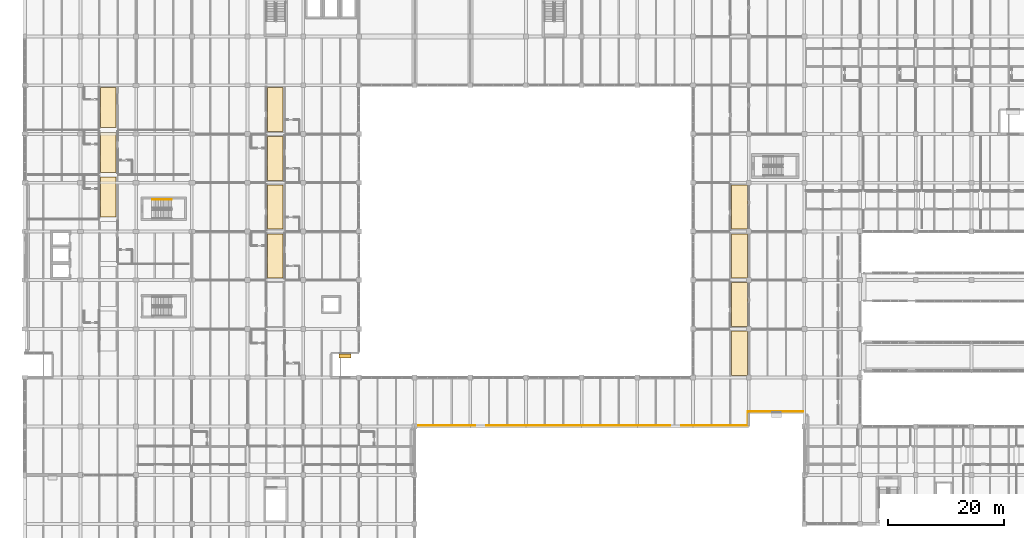
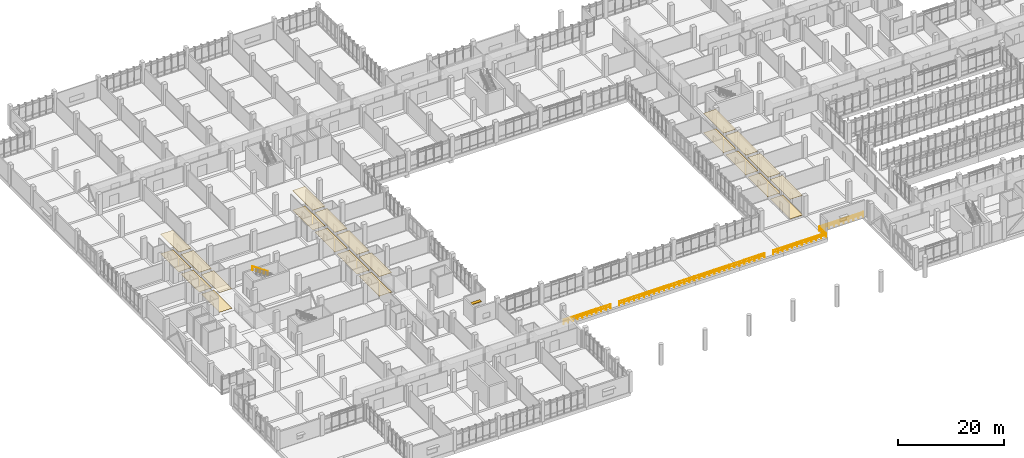
# One storey, part 138 of 152: 22 coverings, 4 railings, 1 shading device.
"""IFC4 building model written with IfcOpenShell, lengths in metres."""

import ifcopenshell
import ifcopenshell.guid

model = None  # the IFC model being written
_history = None  # IfcOwnerHistory: only IFC2X3 demands one
_inside = {}  # id of a spatial element -> (the spatial element, [elements in it])
_under = {}  # id of a project, library or spatial element -> (it, [spatial elements below it])
_declared = {}  # id of a project -> (the project, [libraries it declares])
_typed = {}  # id of a type object -> (the type object, [elements of that type])
_made_of = {}  # id of a material, layer set ... -> (it, [elements and type objects made of it])


def new_model(schema):
    """Start an empty IFC model of exactly this schema.

    Asked for "IFC4X3", IfcOpenShell would pick the latest addendum, in which some entities
    have other attributes; the version numbers below select the first issue.
    IFC2X3 requires an IfcOwnerHistory on every rooted entity: one is made here for all.
    """
    global model, _history
    if schema == "IFC4X3":
        model = ifcopenshell.file(schema_version=(4, 3, 0, 0))
    else:
        model = ifcopenshell.file(schema=schema)
    _inside.clear()
    _under.clear()
    _declared.clear()
    _typed.clear()
    _made_of.clear()
    _history = None
    if model.schema == "IFC2X3":
        org = make("IfcOrganization", Name="unknown")
        user = make(
            "IfcPersonAndOrganization",
            ThePerson=make("IfcPerson", FamilyName="unknown"),
            TheOrganization=org,
        )
        app = make(
            "IfcApplication",
            ApplicationDeveloper=org,
            Version="unknown",
            ApplicationFullName="unknown",
            ApplicationIdentifier="unknown",
        )
        _history = make(
            "IfcOwnerHistory",
            OwningUser=user,
            OwningApplication=app,
            ChangeAction="ADDED",
            CreationDate=0,
        )
    return model


def make(cls, **values):
    """One entity of the class cls with the attributes given. An attribute that is None is left unset."""
    return model.create_entity(
        cls, **{name: value for name, value in values.items() if value is not None}
    )


def rooted(cls, **values):
    """An entity with a GlobalId (a new one), such as an element, a storey or a relation."""
    return make(cls, GlobalId=ifcopenshell.guid.new(), OwnerHistory=_history, **values)


def si_unit(unit_type, name, prefix=None):
    """IfcSIUnit, for example si_unit("LENGTHUNIT", "METRE", prefix="MILLI")."""
    return make("IfcSIUnit", UnitType=unit_type, Prefix=prefix, Name=name)


def assignment(units):
    """IfcUnitAssignment: the units of a project."""
    return None if units is None else make("IfcUnitAssignment", Units=units)


def point(xyz):
    """IfcCartesianPoint."""
    return None if xyz is None else make("IfcCartesianPoint", Coordinates=xyz)


def direction(xyz):
    """IfcDirection."""
    return None if xyz is None else make("IfcDirection", DirectionRatios=xyz)


def frame(location, z_axis=None, x_axis=None):
    """IfcAxis2Placement3D, a coordinate frame: its origin and axes. An axis left out is left unset."""
    return make(
        "IfcAxis2Placement3D",
        Location=point(location),
        Axis=direction(z_axis),
        RefDirection=direction(x_axis),
    )


def frame_2d(location, x_axis=None):
    """IfcAxis2Placement2D, a coordinate frame in the plane: its origin and x axis."""
    return make(
        "IfcAxis2Placement2D", Location=point(location), RefDirection=direction(x_axis)
    )


def origin():
    """The frame at (0, 0, 0) with its axes left unset."""
    return frame((0.0, 0.0, 0.0))


def origin_2d():
    """The frame at (0, 0) in the plane with its x axis left unset."""
    return frame_2d((0.0, 0.0))


def place(relative_to, where):
    """IfcLocalPlacement: puts the frame where relative to a parent placement (None: the world)."""
    return make(
        "IfcLocalPlacement", PlacementRelTo=relative_to, RelativePlacement=where
    )


def context(
    kind, dimensions, precision=None, world=None, true_north=None, identifier=None
):
    """IfcGeometricRepresentationContext, for example the 3D "Model" context."""
    return make(
        "IfcGeometricRepresentationContext",
        ContextIdentifier=identifier,
        ContextType=kind,
        CoordinateSpaceDimension=dimensions,
        Precision=precision,
        WorldCoordinateSystem=world,
        TrueNorth=true_north,
    )


def subcontext(parent, identifier, kind, view, scale=None):
    """IfcGeometricRepresentationSubContext, for example "Body" below "Model"."""
    return make(
        "IfcGeometricRepresentationSubContext",
        ContextIdentifier=identifier,
        ContextType=kind,
        ParentContext=parent,
        TargetScale=scale,
        TargetView=view,
    )


def project(units=None, contexts=None):
    """IfcProject with its units and contexts."""
    return rooted(
        "IfcProject",
        Name="project",
        RepresentationContexts=contexts,
        UnitsInContext=assignment(units),
    )


def spatial(cls, under=None, at=None, **own):
    """A site, building, storey or space (cls), placed at a placement, below another one or the project."""
    s = rooted(cls, ObjectPlacement=at, **own)
    if under is not None:
        _under.setdefault(under.id(), (under, []))[1].append(s)
    return s


def polyline(points):
    """IfcPolyline through the points."""
    return make("IfcPolyline", Points=[point(p) for p in points])


def profile(cls, at=None, kind="AREA", **sizes):
    """A parametric profile (cls). Its sizes go by their IFC names, for example OverallWidth=200.0."""
    return make(cls, ProfileType=kind, Position=at, **sizes)


def rectangle(**sizes):
    """IfcRectangleProfileDef."""
    return profile("IfcRectangleProfileDef", **sizes)


def circle(**sizes):
    """IfcCircleProfileDef."""
    return profile("IfcCircleProfileDef", **sizes)


def outline(outer, holes=None, kind="AREA"):
    """IfcArbitraryClosedProfileDef: a profile drawn as a closed curve; with holes, ...WithVoids."""
    if holes is None:
        return make("IfcArbitraryClosedProfileDef", ProfileType=kind, OuterCurve=outer)
    return make(
        "IfcArbitraryProfileDefWithVoids",
        ProfileType=kind,
        OuterCurve=outer,
        InnerCurves=holes,
    )


def extrude(swept, where, along, depth):
    """IfcExtrudedAreaSolid: the profile swept, set in the frame where, extruded along a direction by depth."""
    return make(
        "IfcExtrudedAreaSolid",
        SweptArea=swept,
        Position=where,
        ExtrudedDirection=direction(along),
        Depth=depth,
    )


def shape(context_of_items, identifier, shape_type, items):
    """IfcShapeRepresentation: the items that make up one representation, for example the "Body"."""
    return make(
        "IfcShapeRepresentation",
        ContextOfItems=context_of_items,
        RepresentationIdentifier=identifier,
        RepresentationType=shape_type,
        Items=items,
    )


def material(Name=None, Category=None):
    """IfcMaterial."""
    return make("IfcMaterial", Name=Name, Category=Category)


def layer(
    of_material, thickness, ventilated=None, Name=None, Category=None, Priority=None
):
    """IfcMaterialLayer: one layer of a wall or slab, of a material (None: an air gap)."""
    return make(
        "IfcMaterialLayer",
        Material=of_material,
        LayerThickness=thickness,
        IsVentilated=ventilated,
        Name=Name,
        Category=Category,
        Priority=Priority,
    )


def layer_set(layers, Name=None):
    """IfcMaterialLayerSet."""
    return make("IfcMaterialLayerSet", MaterialLayers=layers, LayerSetName=Name)


def made_of(thing, what):
    """Note that an element or type object is made of a material, layer set ...; save() writes the relation."""
    if what is not None:
        _made_of.setdefault(what.id(), (what, []))[1].append(thing)
    return thing


def type_object(cls, material=None, **own):
    """A type object (cls), such as IfcWallType, which elements share."""
    return made_of(rooted(cls, **own), material)


def element(
    cls,
    number,
    at=None,
    inside=None,
    cuts=None,
    type_object=None,
    material=None,
    context=None,
    identifier="Body",
    shape_type=None,
    held_by="IfcProductDefinitionShape",
    body=None,
    shapes=None,
    **own,
):
    """One element of the class cls, such as IfcWall. Its Tag is "e" and its number.

    at: its placement. inside: the storey or other place that contains it. cuts: it is an
    opening in that element (IfcRelVoidsElement). A single representation is given by context,
    identifier, shape_type and body (its items); several are given by shapes. held_by: the class
    of the entity that holds the representations. save() writes the other relations.
    """
    e = rooted(cls, Tag="e%d" % number, ObjectPlacement=at, **own)
    if body is not None:
        shapes = [shape(context, identifier, shape_type, body)]
    if shapes is not None:
        e.Representation = make(held_by, Representations=shapes)
    if inside is not None:
        _inside.setdefault(inside.id(), (inside, []))[1].append(e)
    if cuts is not None:
        rooted(
            "IfcRelVoidsElement", RelatingBuildingElement=cuts, RelatedOpeningElement=e
        )
    if type_object is not None:
        _typed.setdefault(type_object.id(), (type_object, []))[1].append(e)
    return made_of(e, material)


def aggregate(whole, parts):
    """IfcRelAggregates: a whole, such as a stair, and the parts it consists of."""
    return rooted("IfcRelAggregates", RelatingObject=whole, RelatedObjects=parts)


def save(model, path):
    """Write the relations noted so far, then the file.

    IfcRelAggregates (storeys below a building ...), IfcRelContainedInSpatialStructure (elements
    in a storey), IfcRelDefinesByType, IfcRelAssociatesMaterial and IfcRelDeclares: one each for
    every whole, place, type object, material and project.
    """
    for whole, parts in _under.values():
        aggregate(whole, parts)
    for where, things in _inside.values():
        rooted(
            "IfcRelContainedInSpatialStructure",
            RelatedElements=things,
            RelatingStructure=where,
        )
    for kind, things in _typed.values():
        rooted("IfcRelDefinesByType", RelatedObjects=things, RelatingType=kind)
    for what, things in _made_of.values():
        rooted("IfcRelAssociatesMaterial", RelatedObjects=things, RelatingMaterial=what)
    for by, libraries in _declared.values():
        rooted("IfcRelDeclares", RelatingContext=by, RelatedDefinitions=libraries)
    model.write(path)


model = new_model("IFC4")

# Units and contexts
model_context = context("Model", 3, precision=1e-05, world=origin(), true_north=direction((0.0, 1.0)))
body_context = subcontext(model_context, "Body", "Model", "MODEL_VIEW")
ifc_project = project(units=[si_unit("LENGTHUNIT", "METRE"), si_unit("AREAUNIT", "SQUARE_METRE"), si_unit("VOLUMEUNIT", "CUBIC_METRE"), si_unit("PLANEANGLEUNIT", "RADIAN"), si_unit("MASSUNIT", "GRAM", prefix="KILO")], contexts=[model_context])

# Site, building, storey
site_placement = place(None, origin())
site = spatial("IfcSite", under=ifc_project, at=site_placement, CompositionType="ELEMENT")
building_placement = place(site_placement, origin())
building = spatial("IfcBuilding", under=site, at=building_placement, Name="Oolite Switchyard Hospital", CompositionType="ELEMENT")
storey_placement = place(building_placement, frame((0.0, 0.0, 5.10009765625)))
storey = spatial("IfcBuildingStorey", under=building, at=storey_placement, Name="L01", CompositionType="ELEMENT", Elevation=5.10009765625)

# Coverings
ifc_material_1 = material(Name="Hygienic washable mineral-fibre acoustic ceiling")
ifc_layer_1 = layer(ifc_material_1, 0.0400390625)
ifc_layer_set_1 = layer_set([ifc_layer_1], Name="COV-CEIL-AC60")
covering_type_1 = type_object("IfcCoveringType", Name="COV-CEIL-AC60", PredefinedType="CEILING", material=ifc_layer_set_1)
covering_1_placement = place(storey_placement, frame((0.0, 0.0, 4.5)))
element("IfcCovering", 1, at=covering_1_placement, inside=storey, type_object=covering_type_1, Name="L01 West Surgical ICU Corridor Ceiling 4", PredefinedType="CEILING", context=body_context, shape_type="SweptSolid", body=[
    extrude(outline(polyline([(13.050048828125, 61.300048828125), (15.75, 61.300048828125), (15.75, 68.199951171875), (13.050048828125, 68.199951171875), (13.050048828125, 61.300048828125)])), origin(), (0.0, 0.0, 1.0), 0.039794921875),
])
covering_2_placement = place(storey_placement, frame((0.0, 0.0, 4.5)))
element("IfcCovering", 2, at=covering_2_placement, inside=storey, type_object=covering_type_1, Name="L01 West Surgical ICU Corridor Ceiling 5", PredefinedType="CEILING", context=body_context, shape_type="SweptSolid", body=[
    extrude(outline(polyline([(13.050048828125, 69.0), (15.75, 69.0), (15.75, 75.89990234375), (13.050048828125, 75.89990234375), (13.050048828125, 69.0)])), origin(), (0.0, 0.0, 1.0), 0.039794921875),
])
covering_3_placement = place(storey_placement, frame((0.0, 0.0, 4.5)))
element("IfcCovering", 3, at=covering_3_placement, inside=storey, type_object=covering_type_1, Name="L01 West Surgical ICU Corridor Ceiling 6", PredefinedType="CEILING", context=body_context, shape_type="SweptSolid", body=[
    extrude(outline(polyline([(13.050048828125, 76.699951171875), (15.75, 76.699951171875), (15.75, 83.60009765625), (13.050048828125, 83.60009765625), (13.050048828125, 76.699951171875)])), origin(), (0.0, 0.0, 1.0), 0.039794921875),
])
covering_4_placement = place(storey_placement, frame((0.0, 0.0, 4.5)))
element("IfcCovering", 4, at=covering_4_placement, inside=storey, type_object=covering_type_1, Name="L01 Cloister Coronary ICU Corridor Ceiling 3", PredefinedType="CEILING", context=body_context, shape_type="SweptSolid", body=[
    extrude(outline(polyline([(41.85009765625, 50.800048828125), (44.550048828125, 50.800048828125), (44.550048828125, 58.39990234375), (41.85009765625, 58.39990234375), (41.85009765625, 50.800048828125)])), origin(), (0.0, 0.0, 1.0), 0.039794921875),
])
covering_5_placement = place(storey_placement, frame((0.0, 0.0, 4.5)))
element("IfcCovering", 5, at=covering_5_placement, inside=storey, type_object=covering_type_1, Name="L01 Cloister Coronary ICU Corridor Ceiling 4", PredefinedType="CEILING", context=body_context, shape_type="SweptSolid", body=[
    extrude(outline(polyline([(41.85009765625, 59.199951171875), (44.550048828125, 59.199951171875), (44.550048828125, 66.800048828125), (41.85009765625, 66.800048828125), (41.85009765625, 59.199951171875)])), origin(), (0.0, 0.0, 1.0), 0.039794921875),
])
covering_6_placement = place(storey_placement, frame((0.0, 0.0, 4.5)))
element("IfcCovering", 6, at=covering_6_placement, inside=storey, type_object=covering_type_1, Name="L01 Cloister Coronary ICU Corridor Ceiling 5", PredefinedType="CEILING", context=body_context, shape_type="SweptSolid", body=[
    extrude(outline(polyline([(41.85009765625, 67.60009765625), (44.550048828125, 67.60009765625), (44.550048828125, 75.199951171875), (41.85009765625, 75.199951171875), (41.85009765625, 67.60009765625)])), origin(), (0.0, 0.0, 1.0), 0.039794921875),
])
covering_7_placement = place(storey_placement, frame((0.0, 0.0, 4.5)))
element("IfcCovering", 7, at=covering_7_placement, inside=storey, type_object=covering_type_1, Name="L01 Cloister Coronary ICU Corridor Ceiling 6", PredefinedType="CEILING", context=body_context, shape_type="SweptSolid", body=[
    extrude(outline(polyline([(41.85009765625, 76.0), (44.550048828125, 76.0), (44.550048828125, 83.60009765625), (41.85009765625, 83.60009765625), (41.85009765625, 76.0)])), origin(), (0.0, 0.0, 1.0), 0.039794921875),
])
covering_8_placement = place(storey_placement, frame((0.0, 0.0, 4.5)))
element("IfcCovering", 8, at=covering_8_placement, inside=storey, type_object=covering_type_1, Name="L01 East Cloister Perioperative Corridor L01 Ceiling 1", PredefinedType="CEILING", context=body_context, shape_type="SweptSolid", body=[
    extrude(outline(polyline([(121.85009765625, 34.0), (124.550048828125, 34.0), (124.550048828125, 41.60009765625), (121.85009765625, 41.60009765625), (121.85009765625, 34.0)])), origin(), (0.0, 0.0, 1.0), 0.039794921875),
])
covering_9_placement = place(storey_placement, frame((0.0, 0.0, 4.5)))
element("IfcCovering", 9, at=covering_9_placement, inside=storey, type_object=covering_type_1, Name="L01 East Cloister Perioperative Corridor L01 Ceiling 2", PredefinedType="CEILING", context=body_context, shape_type="SweptSolid", body=[
    extrude(outline(polyline([(121.85009765625, 42.39990234375), (124.550048828125, 42.39990234375), (124.550048828125, 50.0), (121.85009765625, 50.0), (121.85009765625, 42.39990234375)])), origin(), (0.0, 0.0, 1.0), 0.039794921875),
])
covering_10_placement = place(storey_placement, frame((0.0, 0.0, 4.5)))
element("IfcCovering", 10, at=covering_10_placement, inside=storey, type_object=covering_type_1, Name="L01 East Cloister Perioperative Corridor L01 Ceiling 3", PredefinedType="CEILING", context=body_context, shape_type="SweptSolid", body=[
    extrude(outline(polyline([(121.85009765625, 50.800048828125), (124.550048828125, 50.800048828125), (124.550048828125, 58.39990234375), (121.85009765625, 58.39990234375), (121.85009765625, 50.800048828125)])), origin(), (0.0, 0.0, 1.0), 0.039794921875),
])
covering_11_placement = place(storey_placement, frame((0.0, 0.0, 4.5)))
element("IfcCovering", 11, at=covering_11_placement, inside=storey, type_object=covering_type_1, Name="L01 East Cloister Perioperative Corridor L01 Ceiling 4", PredefinedType="CEILING", context=body_context, shape_type="SweptSolid", body=[
    extrude(outline(polyline([(121.85009765625, 59.199951171875), (124.550048828125, 59.199951171875), (124.550048828125, 66.800048828125), (121.85009765625, 66.800048828125), (121.85009765625, 59.199951171875)])), origin(), (0.0, 0.0, 1.0), 0.039794921875),
])
ifc_material_2 = material(Name="Epoxy terrazzo seamless clinical flooring")
ifc_layer_2 = layer(ifc_material_2, 0.02001953125)
ifc_layer_set_2 = layer_set([ifc_layer_2], Name="COV-FLR-TER20")
covering_type_2 = type_object("IfcCoveringType", Name="COV-FLR-TER20", PredefinedType="FLOORING", material=ifc_layer_set_2)
covering_12_placement = place(storey_placement, origin())
element("IfcCovering", 12, at=covering_12_placement, inside=storey, type_object=covering_type_2, Name="L01 West Surgical ICU Corridor Flooring 4", PredefinedType="FLOORING", context=body_context, shape_type="SweptSolid", body=[
    extrude(outline(polyline([(13.050048828125, 61.300048828125), (15.75, 61.300048828125), (15.75, 68.199951171875), (13.050048828125, 68.199951171875), (13.050048828125, 61.300048828125)])), origin(), (0.0, 0.0, 1.0), 0.02001953125),
])
covering_13_placement = place(storey_placement, origin())
element("IfcCovering", 13, at=covering_13_placement, inside=storey, type_object=covering_type_2, Name="L01 West Surgical ICU Corridor Flooring 5", PredefinedType="FLOORING", context=body_context, shape_type="SweptSolid", body=[
    extrude(outline(polyline([(13.050048828125, 69.0), (15.75, 69.0), (15.75, 75.89990234375), (13.050048828125, 75.89990234375), (13.050048828125, 69.0)])), origin(), (0.0, 0.0, 1.0), 0.02001953125),
])
covering_14_placement = place(storey_placement, origin())
element("IfcCovering", 14, at=covering_14_placement, inside=storey, type_object=covering_type_2, Name="L01 West Surgical ICU Corridor Flooring 6", PredefinedType="FLOORING", context=body_context, shape_type="SweptSolid", body=[
    extrude(outline(polyline([(13.050048828125, 76.699951171875), (15.75, 76.699951171875), (15.75, 83.60009765625), (13.050048828125, 83.60009765625), (13.050048828125, 76.699951171875)])), origin(), (0.0, 0.0, 1.0), 0.02001953125),
])
covering_15_placement = place(storey_placement, origin())
element("IfcCovering", 15, at=covering_15_placement, inside=storey, type_object=covering_type_2, Name="L01 Cloister Coronary ICU Corridor Flooring 3", PredefinedType="FLOORING", context=body_context, shape_type="SweptSolid", body=[
    extrude(outline(polyline([(41.85009765625, 50.800048828125), (44.550048828125, 50.800048828125), (44.550048828125, 58.39990234375), (41.85009765625, 58.39990234375), (41.85009765625, 50.800048828125)])), origin(), (0.0, 0.0, 1.0), 0.02001953125),
])
covering_16_placement = place(storey_placement, origin())
element("IfcCovering", 16, at=covering_16_placement, inside=storey, type_object=covering_type_2, Name="L01 Cloister Coronary ICU Corridor Flooring 4", PredefinedType="FLOORING", context=body_context, shape_type="SweptSolid", body=[
    extrude(outline(polyline([(41.85009765625, 59.199951171875), (44.550048828125, 59.199951171875), (44.550048828125, 66.800048828125), (41.85009765625, 66.800048828125), (41.85009765625, 59.199951171875)])), origin(), (0.0, 0.0, 1.0), 0.02001953125),
])
covering_17_placement = place(storey_placement, origin())
element("IfcCovering", 17, at=covering_17_placement, inside=storey, type_object=covering_type_2, Name="L01 Cloister Coronary ICU Corridor Flooring 5", PredefinedType="FLOORING", context=body_context, shape_type="SweptSolid", body=[
    extrude(outline(polyline([(41.85009765625, 67.60009765625), (44.550048828125, 67.60009765625), (44.550048828125, 75.199951171875), (41.85009765625, 75.199951171875), (41.85009765625, 67.60009765625)])), origin(), (0.0, 0.0, 1.0), 0.02001953125),
])
covering_18_placement = place(storey_placement, origin())
element("IfcCovering", 18, at=covering_18_placement, inside=storey, type_object=covering_type_2, Name="L01 Cloister Coronary ICU Corridor Flooring 6", PredefinedType="FLOORING", context=body_context, shape_type="SweptSolid", body=[
    extrude(outline(polyline([(41.85009765625, 76.0), (44.550048828125, 76.0), (44.550048828125, 83.60009765625), (41.85009765625, 83.60009765625), (41.85009765625, 76.0)])), origin(), (0.0, 0.0, 1.0), 0.02001953125),
])
covering_19_placement = place(storey_placement, origin())
element("IfcCovering", 19, at=covering_19_placement, inside=storey, type_object=covering_type_2, Name="L01 East Cloister Perioperative Corridor L01 Flooring 1", PredefinedType="FLOORING", context=body_context, shape_type="SweptSolid", body=[
    extrude(outline(polyline([(121.85009765625, 34.0), (124.550048828125, 34.0), (124.550048828125, 41.60009765625), (121.85009765625, 41.60009765625), (121.85009765625, 34.0)])), origin(), (0.0, 0.0, 1.0), 0.02001953125),
])
covering_20_placement = place(storey_placement, origin())
element("IfcCovering", 20, at=covering_20_placement, inside=storey, type_object=covering_type_2, Name="L01 East Cloister Perioperative Corridor L01 Flooring 2", PredefinedType="FLOORING", context=body_context, shape_type="SweptSolid", body=[
    extrude(outline(polyline([(121.85009765625, 42.39990234375), (124.550048828125, 42.39990234375), (124.550048828125, 50.0), (121.85009765625, 50.0), (121.85009765625, 42.39990234375)])), origin(), (0.0, 0.0, 1.0), 0.02001953125),
])
covering_21_placement = place(storey_placement, origin())
element("IfcCovering", 21, at=covering_21_placement, inside=storey, type_object=covering_type_2, Name="L01 East Cloister Perioperative Corridor L01 Flooring 3", PredefinedType="FLOORING", context=body_context, shape_type="SweptSolid", body=[
    extrude(outline(polyline([(121.85009765625, 50.800048828125), (124.550048828125, 50.800048828125), (124.550048828125, 58.39990234375), (121.85009765625, 58.39990234375), (121.85009765625, 50.800048828125)])), origin(), (0.0, 0.0, 1.0), 0.02001953125),
])
covering_22_placement = place(storey_placement, origin())
element("IfcCovering", 22, at=covering_22_placement, inside=storey, type_object=covering_type_2, Name="L01 East Cloister Perioperative Corridor L01 Flooring 4", PredefinedType="FLOORING", context=body_context, shape_type="SweptSolid", body=[
    extrude(outline(polyline([(121.85009765625, 59.199951171875), (124.550048828125, 59.199951171875), (124.550048828125, 66.800048828125), (121.85009765625, 66.800048828125), (121.85009765625, 59.199951171875)])), origin(), (0.0, 0.0, 1.0), 0.02001953125),
])

# Railings
ifc_material_3 = material(Name="Precast oolitic limestone classical balustrade", Category="masonry")
railing_type_1 = type_object("IfcRailingType", Name="RL-BAL-110", PredefinedType="BALUSTRADE", material=ifc_material_3)
railing_1_placement = place(storey_placement, frame((67.39990234375, 25.35009765625, 0.0)))
element("IfcRailing", 23, at=railing_1_placement, inside=storey, type_object=railing_type_1, Name="L01 Terrace Perimeter Guard 1", PredefinedType="BALUSTRADE", context=body_context, shape_type="SweptSolid", body=[
    extrude(circle(Radius=0.02392578125, at=origin_2d()), frame((0.0, 0.0, 1.076171875), z_axis=(1.0, 0.0, 0.0), x_axis=(0.0, 1.0, 0.0)), (0.0, 0.0, 1.0), 10.25),
    extrude(circle(Radius=0.015625, at=origin_2d()), frame((0.0, 0.0, 0.550048828125), z_axis=(1.0, 0.0, 0.0), x_axis=(0.0, 1.0, 0.0)), (0.0, 0.0, 1.0), 10.25),
    extrude(circle(Radius=0.02099609375, at=origin_2d()), origin(), (0.0, 0.0, 1.0), 1.052001953125),
    extrude(circle(Radius=0.02099609375, at=origin_2d()), frame((1.02490234375, 0.0, 0.0)), (0.0, 0.0, 1.0), 1.052001953125),
    extrude(circle(Radius=0.02099609375, at=origin_2d()), frame((2.050048828125, 0.0, 0.0)), (0.0, 0.0, 1.0), 1.052001953125),
    extrude(circle(Radius=0.02099609375, at=origin_2d()), frame((3.074951171875, 0.0, 0.0)), (0.0, 0.0, 1.0), 1.052001953125),
    extrude(circle(Radius=0.02099609375, at=origin_2d()), frame((4.10009765625, 0.0, 0.0)), (0.0, 0.0, 1.0), 1.052001953125),
    extrude(circle(Radius=0.02099609375, at=origin_2d()), frame((5.125, 0.0, 0.0)), (0.0, 0.0, 1.0), 1.052001953125),
    extrude(circle(Radius=0.02099609375, at=origin_2d()), frame((6.14990234375, 0.0, 0.0)), (0.0, 0.0, 1.0), 1.052001953125),
    extrude(circle(Radius=0.02099609375, at=origin_2d()), frame((7.175048828125, 0.0, 0.0)), (0.0, 0.0, 1.0), 1.052001953125),
    extrude(circle(Radius=0.02099609375, at=origin_2d()), frame((8.199951171875, 0.0, 0.0)), (0.0, 0.0, 1.0), 1.052001953125),
    extrude(circle(Radius=0.02099609375, at=origin_2d()), frame((9.22509765625, 0.0, 0.0)), (0.0, 0.0, 1.0), 1.052001953125),
    extrude(circle(Radius=0.02099609375, at=origin_2d()), frame((10.25, 0.0, 0.0)), (0.0, 0.0, 1.0), 1.052001953125),
])
railing_2_placement = place(storey_placement, frame((79.550048828125, 25.35009765625, 0.0)))
element("IfcRailing", 24, at=railing_2_placement, inside=storey, type_object=railing_type_1, Name="L01 Terrace Perimeter Guard 2", PredefinedType="BALUSTRADE", context=body_context, shape_type="SweptSolid", body=[
    extrude(circle(Radius=0.02392578125, at=origin_2d()), frame((0.0, 0.0, 1.076171875), z_axis=(1.0, 0.0, 0.0), x_axis=(0.0, 1.0, 0.0)), (0.0, 0.0, 1.0), 31.699951171875),
    extrude(circle(Radius=0.015625, at=origin_2d()), frame((0.0, 0.0, 0.550048828125), z_axis=(1.0, 0.0, 0.0), x_axis=(0.0, 1.0, 0.0)), (0.0, 0.0, 1.0), 31.699951171875),
    extrude(circle(Radius=0.02099609375, at=origin_2d()), origin(), (0.0, 0.0, 1.0), 1.052001953125),
    extrude(circle(Radius=0.02099609375, at=origin_2d()), frame((1.093017578125, 0.0, 0.0)), (0.0, 0.0, 1.0), 1.052001953125),
    extrude(circle(Radius=0.02099609375, at=origin_2d()), frame((2.186279296875, 0.0, 0.0)), (0.0, 0.0, 1.0), 1.052001953125),
    extrude(circle(Radius=0.02099609375, at=origin_2d()), frame((3.279296875, 0.0, 0.0)), (0.0, 0.0, 1.0), 1.052001953125),
    extrude(circle(Radius=0.02099609375, at=origin_2d()), frame((4.372314453125, 0.0, 0.0)), (0.0, 0.0, 1.0), 1.052001953125),
    extrude(circle(Radius=0.02099609375, at=origin_2d()), frame((5.465576171875, 0.0, 0.0)), (0.0, 0.0, 1.0), 1.052001953125),
    extrude(circle(Radius=0.02099609375, at=origin_2d()), frame((6.55859375, 0.0, 0.0)), (0.0, 0.0, 1.0), 1.052001953125),
    extrude(circle(Radius=0.02099609375, at=origin_2d()), frame((7.651611328125, 0.0, 0.0)), (0.0, 0.0, 1.0), 1.052001953125),
    extrude(circle(Radius=0.02099609375, at=origin_2d()), frame((8.744873046875, 0.0, 0.0)), (0.0, 0.0, 1.0), 1.052001953125),
    extrude(circle(Radius=0.02099609375, at=origin_2d()), frame((9.837890625, 0.0, 0.0)), (0.0, 0.0, 1.0), 1.052001953125),
    extrude(circle(Radius=0.02099609375, at=origin_2d()), frame((10.930908203125, 0.0, 0.0)), (0.0, 0.0, 1.0), 1.052001953125),
    extrude(circle(Radius=0.02099609375, at=origin_2d()), frame((12.024169921875, 0.0, 0.0)), (0.0, 0.0, 1.0), 1.052001953125),
    extrude(circle(Radius=0.02099609375, at=origin_2d()), frame((13.1171875, 0.0, 0.0)), (0.0, 0.0, 1.0), 1.052001953125),
    extrude(circle(Radius=0.02099609375, at=origin_2d()), frame((14.210205078125, 0.0, 0.0)), (0.0, 0.0, 1.0), 1.052001953125),
    extrude(circle(Radius=0.02099609375, at=origin_2d()), frame((15.303466796875, 0.0, 0.0)), (0.0, 0.0, 1.0), 1.052001953125),
    extrude(circle(Radius=0.02099609375, at=origin_2d()), frame((16.396484375, 0.0, 0.0)), (0.0, 0.0, 1.0), 1.052001953125),
    extrude(circle(Radius=0.02099609375, at=origin_2d()), frame((17.48974609375, 0.0, 0.0)), (0.0, 0.0, 1.0), 1.052001953125),
    extrude(circle(Radius=0.02099609375, at=origin_2d()), frame((18.582763671875, 0.0, 0.0)), (0.0, 0.0, 1.0), 1.052001953125),
    extrude(circle(Radius=0.02099609375, at=origin_2d()), frame((19.67578125, 0.0, 0.0)), (0.0, 0.0, 1.0), 1.052001953125),
    extrude(circle(Radius=0.02099609375, at=origin_2d()), frame((20.76904296875, 0.0, 0.0)), (0.0, 0.0, 1.0), 1.052001953125),
    extrude(circle(Radius=0.02099609375, at=origin_2d()), frame((21.862060546875, 0.0, 0.0)), (0.0, 0.0, 1.0), 1.052001953125),
    extrude(circle(Radius=0.02099609375, at=origin_2d()), frame((22.955078125, 0.0, 0.0)), (0.0, 0.0, 1.0), 1.052001953125),
    extrude(circle(Radius=0.02099609375, at=origin_2d()), frame((24.04833984375, 0.0, 0.0)), (0.0, 0.0, 1.0), 1.052001953125),
    extrude(circle(Radius=0.02099609375, at=origin_2d()), frame((25.141357421875, 0.0, 0.0)), (0.0, 0.0, 1.0), 1.052001953125),
    extrude(circle(Radius=0.02099609375, at=origin_2d()), frame((26.234375, 0.0, 0.0)), (0.0, 0.0, 1.0), 1.052001953125),
    extrude(circle(Radius=0.02099609375, at=origin_2d()), frame((27.32763671875, 0.0, 0.0)), (0.0, 0.0, 1.0), 1.052001953125),
    extrude(circle(Radius=0.02099609375, at=origin_2d()), frame((28.420654296875, 0.0, 0.0)), (0.0, 0.0, 1.0), 1.052001953125),
    extrude(circle(Radius=0.02099609375, at=origin_2d()), frame((29.513671875, 0.0, 0.0)), (0.0, 0.0, 1.0), 1.052001953125),
    extrude(circle(Radius=0.02099609375, at=origin_2d()), frame((30.60693359375, 0.0, 0.0)), (0.0, 0.0, 1.0), 1.052001953125),
    extrude(circle(Radius=0.02099609375, at=origin_2d()), frame((31.699951171875, 0.0, 0.0)), (0.0, 0.0, 1.0), 1.052001953125),
])
railing_3_placement = place(storey_placement, frame((113.14990234375, 25.35009765625, 0.0)))
element("IfcRailing", 25, at=railing_3_placement, inside=storey, type_object=railing_type_1, Name="L01 Terrace Perimeter Guard 3", PredefinedType="BALUSTRADE", context=body_context, shape_type="SweptSolid", body=[
    extrude(circle(Radius=0.02392578125, at=origin_2d()), frame((0.0, 0.0, 1.076171875), z_axis=(1.0, 0.0, 0.0), x_axis=(0.0, 1.0, 0.0)), (0.0, 0.0, 1.0), 11.5),
    extrude(circle(Radius=0.015625, at=origin_2d()), frame((0.0, 0.0, 0.550048828125), z_axis=(1.0, 0.0, 0.0), x_axis=(0.0, 1.0, 0.0)), (0.0, 0.0, 1.0), 11.5),
    extrude(circle(Radius=0.02392578125, at=origin_2d()), frame((11.5, 0.0, 1.076171875), z_axis=(0.0, 1.0, 0.0), x_axis=(-1.0, 0.0, 0.0)), (0.0, 0.0, 1.0), 2.39990234375),
    extrude(circle(Radius=0.015625, at=origin_2d()), frame((11.5, 0.0, 0.550048828125), z_axis=(0.0, 1.0, 0.0), x_axis=(-1.0, 0.0, 0.0)), (0.0, 0.0, 1.0), 2.39990234375),
    extrude(circle(Radius=0.02392578125, at=origin_2d()), frame((11.5, 2.39990234375, 1.076171875), z_axis=(1.0, 0.0, 0.0), x_axis=(0.0, 1.0, 0.0)), (0.0, 0.0, 1.0), 9.550048828125),
    extrude(circle(Radius=0.015625, at=origin_2d()), frame((11.5, 2.39990234375, 0.550048828125), z_axis=(1.0, 0.0, 0.0), x_axis=(0.0, 1.0, 0.0)), (0.0, 0.0, 1.0), 9.550048828125),
    extrude(circle(Radius=0.02099609375, at=origin_2d()), origin(), (0.0, 0.0, 1.0), 1.052001953125),
    extrude(circle(Radius=0.02099609375, at=origin_2d()), frame((1.04541015625, 0.0, 0.0)), (0.0, 0.0, 1.0), 1.052001953125),
    extrude(circle(Radius=0.02099609375, at=origin_2d()), frame((2.0908203125, 0.0, 0.0)), (0.0, 0.0, 1.0), 1.052001953125),
    extrude(circle(Radius=0.02099609375, at=origin_2d()), frame((3.136474609375, 0.0, 0.0)), (0.0, 0.0, 1.0), 1.052001953125),
    extrude(circle(Radius=0.02099609375, at=origin_2d()), frame((4.181884765625, 0.0, 0.0)), (0.0, 0.0, 1.0), 1.052001953125),
    extrude(circle(Radius=0.02099609375, at=origin_2d()), frame((5.227294921875, 0.0, 0.0)), (0.0, 0.0, 1.0), 1.052001953125),
    extrude(circle(Radius=0.02099609375, at=origin_2d()), frame((6.272705078125, 0.0, 0.0)), (0.0, 0.0, 1.0), 1.052001953125),
    extrude(circle(Radius=0.02099609375, at=origin_2d()), frame((7.318115234375, 0.0, 0.0)), (0.0, 0.0, 1.0), 1.052001953125),
    extrude(circle(Radius=0.02099609375, at=origin_2d()), frame((8.363525390625, 0.0, 0.0)), (0.0, 0.0, 1.0), 1.052001953125),
    extrude(circle(Radius=0.02099609375, at=origin_2d()), frame((9.4091796875, 0.0, 0.0)), (0.0, 0.0, 1.0), 1.052001953125),
    extrude(circle(Radius=0.02099609375, at=origin_2d()), frame((10.45458984375, 0.0, 0.0)), (0.0, 0.0, 1.0), 1.052001953125),
    extrude(circle(Radius=0.02099609375, at=origin_2d()), frame((11.5, 0.0, 0.0)), (0.0, 0.0, 1.0), 1.052001953125),
    extrude(circle(Radius=0.02099609375, at=origin_2d()), frame((11.5, 0.800048828125, 0.0)), (0.0, 0.0, 1.0), 1.052001953125),
    extrude(circle(Radius=0.02099609375, at=origin_2d()), frame((11.5, 1.599853515625, 0.0)), (0.0, 0.0, 1.0), 1.052001953125),
    extrude(circle(Radius=0.02099609375, at=origin_2d()), frame((11.5, 2.39990234375, 0.0)), (0.0, 0.0, 1.0), 1.052001953125),
    extrude(circle(Radius=0.02099609375, at=origin_2d()), frame((12.56103515625, 2.39990234375, 0.0)), (0.0, 0.0, 1.0), 1.052001953125),
    extrude(circle(Radius=0.02099609375, at=origin_2d()), frame((13.622314453125, 2.39990234375, 0.0)), (0.0, 0.0, 1.0), 1.052001953125),
    extrude(circle(Radius=0.02099609375, at=origin_2d()), frame((14.683349609375, 2.39990234375, 0.0)), (0.0, 0.0, 1.0), 1.052001953125),
    extrude(circle(Radius=0.02099609375, at=origin_2d()), frame((15.744384765625, 2.39990234375, 0.0)), (0.0, 0.0, 1.0), 1.052001953125),
    extrude(circle(Radius=0.02099609375, at=origin_2d()), frame((16.8056640625, 2.39990234375, 0.0)), (0.0, 0.0, 1.0), 1.052001953125),
    extrude(circle(Radius=0.02099609375, at=origin_2d()), frame((17.86669921875, 2.39990234375, 0.0)), (0.0, 0.0, 1.0), 1.052001953125),
    extrude(circle(Radius=0.02099609375, at=origin_2d()), frame((18.927734375, 2.39990234375, 0.0)), (0.0, 0.0, 1.0), 1.052001953125),
    extrude(circle(Radius=0.02099609375, at=origin_2d()), frame((19.989013671875, 2.39990234375, 0.0)), (0.0, 0.0, 1.0), 1.052001953125),
    extrude(circle(Radius=0.02099609375, at=origin_2d()), frame((21.050048828125, 2.39990234375, 0.0)), (0.0, 0.0, 1.0), 1.052001953125),
])
ifc_material_4 = material(Name="Galvanized painted architectural steel handrail", Category="steel")
railing_type_2 = type_object("IfcRailingType", Name="RL-STAIR-HND", PredefinedType="HANDRAIL", material=ifc_material_4)
railing_4_placement = place(storey_placement, frame((25.320068359375, 64.31005859375, 2.58447265625)))
element("IfcRailing", 26, at=railing_4_placement, inside=storey, type_object=railing_type_2, Name="L01 ST-02 stair handrail 2", PredefinedType="HANDRAIL", context=body_context, shape_type="SweptSolid", body=[
    extrude(circle(Radius=0.02392578125, at=origin_2d()), frame((0.0, 0.0, 0.8759765625), z_axis=(-0.834876476806, 0.0, 0.550437342915), x_axis=(0.0, -1.0, 0.0)), (0.0, 0.0, 1.0), 4.024658203125),
    extrude(circle(Radius=0.02099609375, at=origin_2d()), origin(), (0.0, 0.0, 1.0), 0.851806640625),
    extrude(circle(Radius=0.02099609375, at=origin_2d()), frame((-0.840087890625, 0.0, 0.5537109375)), (0.0, 0.0, 1.0), 0.851806640625),
    extrude(circle(Radius=0.02099609375, at=origin_2d()), frame((-1.68017578125, 0.0, 1.107666015625)), (0.0, 0.0, 1.0), 0.851806640625),
    extrude(circle(Radius=0.02099609375, at=origin_2d()), frame((-2.52001953125, 0.0, 1.66162109375)), (0.0, 0.0, 1.0), 0.851806640625),
    extrude(circle(Radius=0.02099609375, at=origin_2d()), frame((-3.360107421875, 0.0, 2.21533203125)), (0.0, 0.0, 1.0), 0.851806640625),
])

# Shading device
ifc_material_5 = material(Name="Precast oolitic limestone architectural concrete C40/50", Category="masonry")
ifc_layer_3 = layer(ifc_material_5, 0.1201171875)
ifc_layer_set_3 = layer_set([ifc_layer_3], Name="SHD-BRISE-900")
shading_device_type = type_object("IfcShadingDeviceType", Name="SHD-BRISE-900", PredefinedType="AWNING", material=ifc_layer_set_3)
shading_device_placement = place(storey_placement, frame((55.199951171875, 37.320068359375, 2.059814453125), z_axis=(0.0, 0.0, 1.0), x_axis=(1.0, 0.0, 0.0)))
element("IfcShadingDevice", 27, at=shading_device_placement, inside=storey, type_object=shading_device_type, Name="L01 Classical Brise-Soleil Sunshade 19", PredefinedType="AWNING", context=body_context, shape_type="SweptSolid", body=[
    extrude(rectangle(XDim=1.989990234375, YDim=0.699951171875, at=origin_2d()), origin(), (0.0, 0.0, 1.0), 0.1201171875),
])

save(model, "model.ifc")
